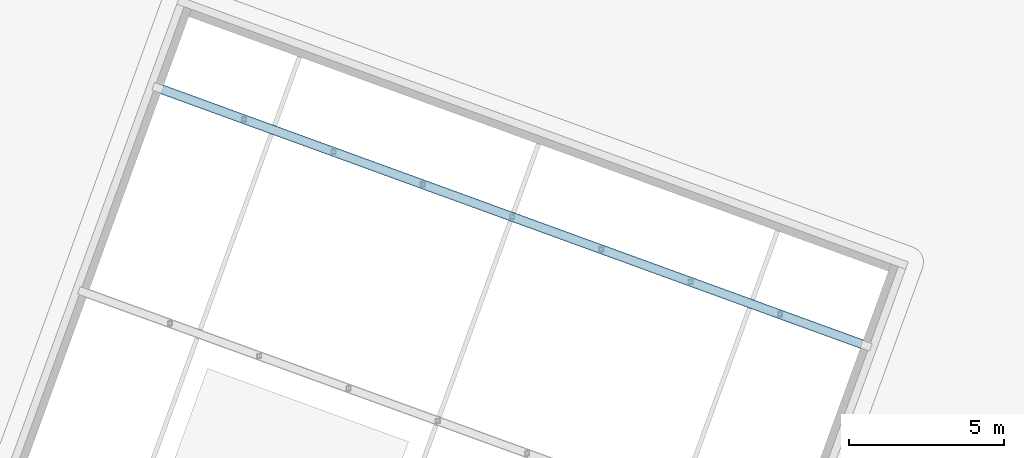
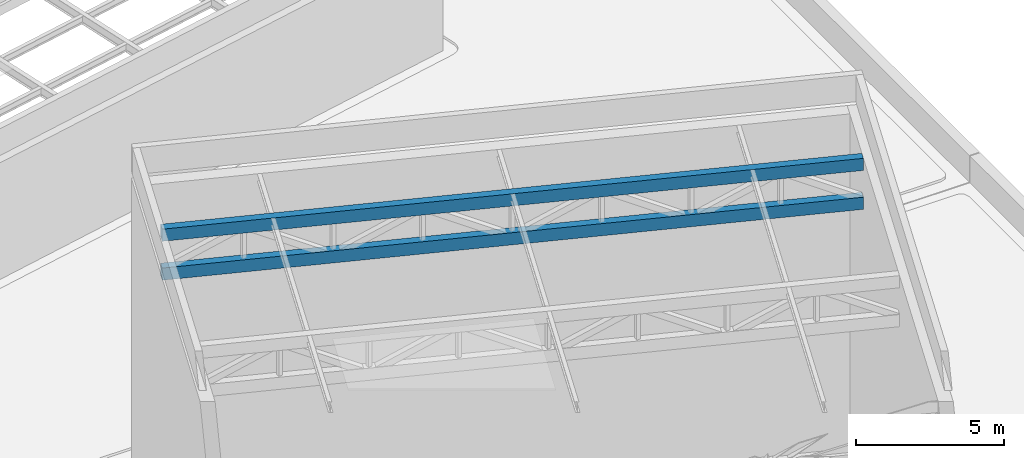
# One storey, part 42 of 72: 2 members.
"""IFC4 building model written with IfcOpenShell, lengths in metres."""

from ifc_helpers import new_model, si_unit, direction, frame, origin, origin_2d, place, context, subcontext, project, spatial, hollow_rectangle, extrude, material, material_profile, profile_set, type_object, element, save


model = new_model("IFC4")

# Units and contexts
model_context = context("Model", 3, precision=1e-05, world=origin(), true_north=direction((0.0, 1.0)))
body_context = subcontext(model_context, "Body", "Model", "MODEL_VIEW")
ifc_project = project(units=[si_unit("LENGTHUNIT", "METRE"), si_unit("AREAUNIT", "SQUARE_METRE"), si_unit("VOLUMEUNIT", "CUBIC_METRE"), si_unit("PLANEANGLEUNIT", "RADIAN"), si_unit("MASSUNIT", "GRAM", prefix="KILO")], contexts=[model_context])

# Site, building, storey
site_placement = place(None, origin())
site = spatial("IfcSite", under=ifc_project, at=site_placement, CompositionType="ELEMENT")
building_placement = place(site_placement, origin())
building = spatial("IfcBuilding", under=site, at=building_placement, Name="Nzadi Deep Aquarium and Research Tower", CompositionType="ELEMENT")
storey_placement = place(building_placement, frame((0.0, 0.0, 31.89990234375)))
storey = spatial("IfcBuildingStorey", under=building, at=storey_placement, Name="L05", CompositionType="ELEMENT", Elevation=31.89990234375)

# Members
ifc_material = material(Name="Steel S355", Category="steel")
ifc_material_profile = material_profile(ifc_material, hollow_rectangle(XDim=0.300048828125, YDim=0.5, WallThickness=0.01611328125, at=origin_2d()))
ifc_profile_set = profile_set([ifc_material_profile], Name="Steel S355")
member_type = type_object("IfcMemberType", Name="RHS 500x300x16 chord", PredefinedType="CHORD", material=ifc_profile_set)
for number, where, z_axis, x_axis, name in (
    (1, (22.654052734375, 88.399658203125, 13.550048828125), (0.939691804709, -0.342022385471, 0.0), (0.342022385471, 0.939691804709, 0.0), "MB-PR-R2-T3-TOP"),
    (2, (22.654052734375, 88.399658203125, 11.9501953125), (0.939691804709, -0.342022385471, 0.0), (0.342022385471, 0.939691804709, 0.0), "MB-PR-R2-T3-BOT"),
):
    element("IfcMember", number, at=place(storey_placement, frame(where, z_axis=z_axis, x_axis=x_axis)), inside=storey, type_object=member_type, Name=name, PredefinedType="CHORD", context=body_context, shape_type="SweptSolid", body=[
        extrude(hollow_rectangle(XDim=0.300048828125, YDim=0.5, WallThickness=0.01611328125, at=origin_2d()), origin(), (0.0, 0.0, 1.0), 24.0),
    ])

save(model, "model.ifc")
